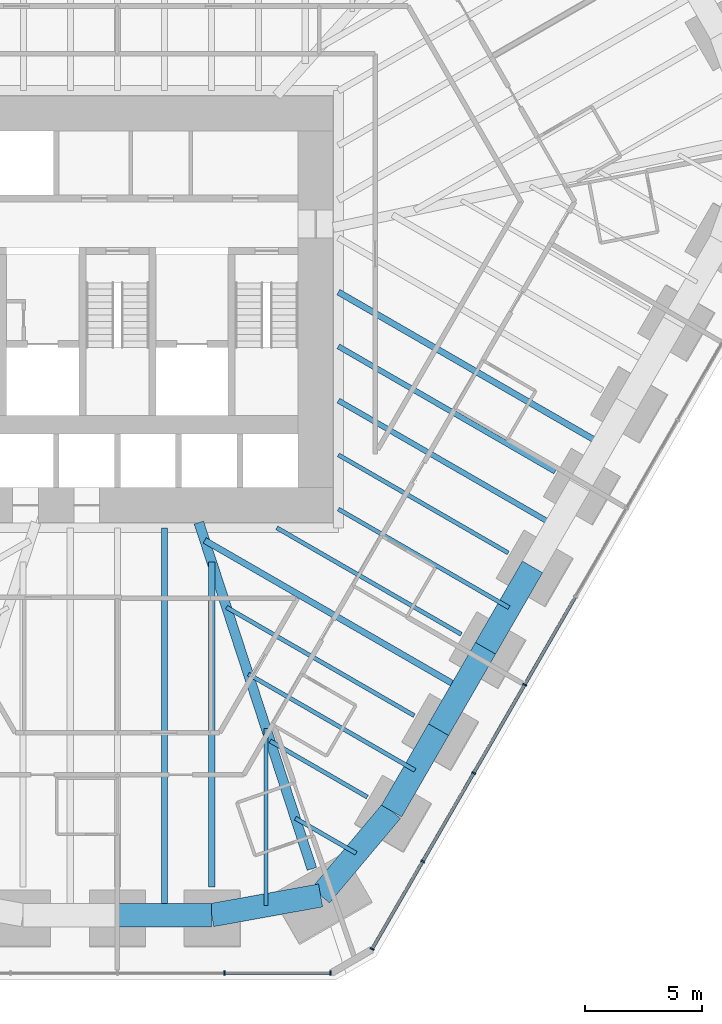
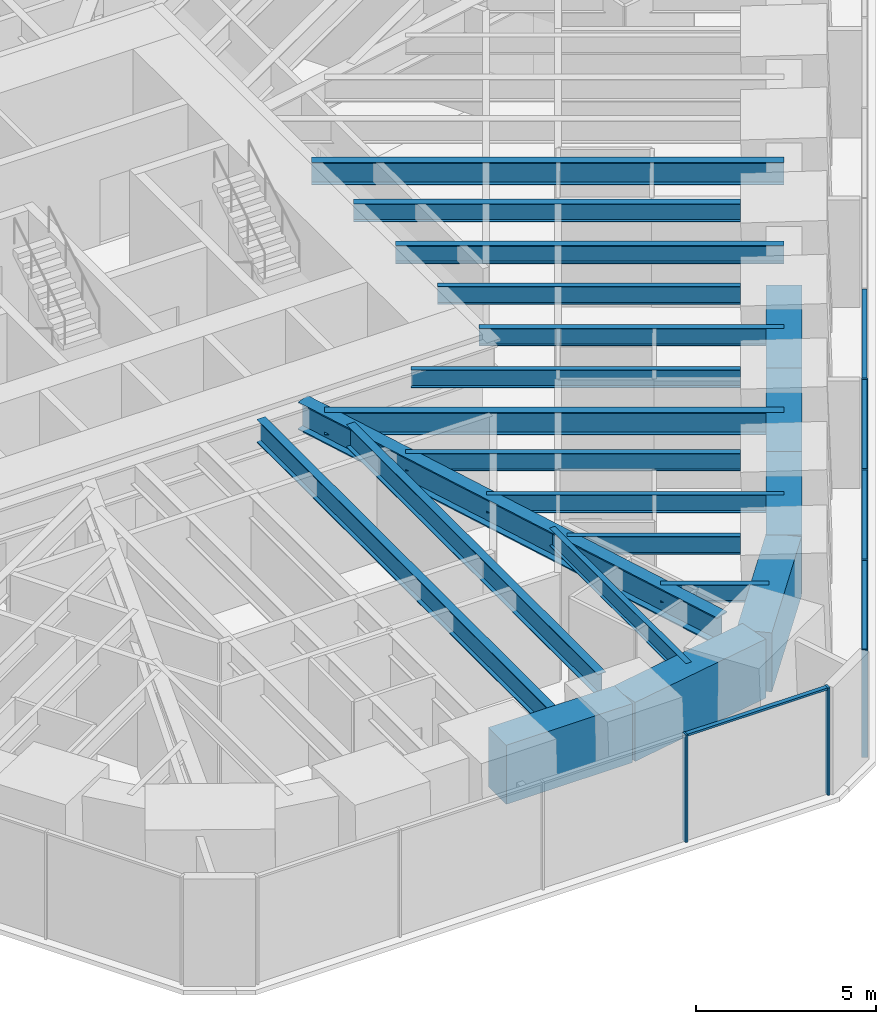
# One storey, part 5 of 17: 21 beams, 11 members, 2 elements without a shape of their own.
"""IFC4 building model written with IfcOpenShell, lengths in metres."""

from ifc_helpers import new_model, si_unit, direction, frame, origin, origin_2d, place, context, subcontext, project, spatial, rectangle, i_section, extrude, material, material_profile, profile_set, type_object, element, aggregate, save


model = new_model("IFC4")

# Units and contexts
model_context = context("Model", 3, precision=1e-05, world=origin(), true_north=direction((0.0, 1.0)))
body_context = subcontext(model_context, "Body", "Model", "MODEL_VIEW")
ifc_project = project(units=[si_unit("LENGTHUNIT", "METRE"), si_unit("AREAUNIT", "SQUARE_METRE"), si_unit("VOLUMEUNIT", "CUBIC_METRE"), si_unit("PLANEANGLEUNIT", "RADIAN"), si_unit("MASSUNIT", "GRAM", prefix="KILO")], contexts=[model_context])

# Site, building, storey
site_placement = place(None, origin())
site = spatial("IfcSite", under=ifc_project, at=site_placement, CompositionType="ELEMENT")
building_placement = place(site_placement, origin())
building = spatial("IfcBuilding", under=site, at=building_placement, Name="Sandreach Pilgrim Tower", CompositionType="ELEMENT")
storey_placement = place(building_placement, frame((0.0, 0.0, 80.0)))
storey = spatial("IfcBuildingStorey", under=building, at=storey_placement, Name="L19", CompositionType="ELEMENT", Elevation=80.0)

# Curtain wall, members
ifc_material_1 = material(Name="Aluminium framed curtain wall", Category="aluminium")
curtain_wall_type = type_object("IfcCurtainWallType", Name="Hostel tower curtain wall", PredefinedType="NOTDEFINED", material=ifc_material_1)
curtain_wall_1_placement = place(storey_placement, origin())
curtain_wall_1 = element("IfcCurtainWall", 1, at=curtain_wall_1_placement, inside=storey, type_object=curtain_wall_type, Name="CW-1 L19 SE", PredefinedType="NOTDEFINED")
ifc_material_2 = material(Name="Aluminium extrusion", Category="aluminium")
ifc_material_profile_1 = material_profile(ifc_material_2, rectangle(XDim=0.06494140625, YDim=0.179931640625, at=origin_2d()), Name="CW-1M 65X180")
ifc_profile_set_1 = profile_set([ifc_material_profile_1], Name="Aluminium extrusion")
member_type_1 = type_object("IfcMemberType", Name="CW-1 mullion", PredefinedType="MULLION", material=ifc_profile_set_1)
member_1_placement = place(storey_placement, frame((17.46142578125, -17.6533203125, 0.0), z_axis=(0.0, 0.0, 1.0), x_axis=(-0.5, -0.866025403784, 0.0)))
member_1 = element("IfcMember", 2, at=member_1_placement, type_object=member_type_1, Name="CW-1 mullion 7", PredefinedType="MULLION", context=body_context, shape_type="SweptSolid", body=[
    extrude(rectangle(XDim=0.06494140625, YDim=0.179931640625, at=origin_2d()), origin(), (0.0, 0.0, 1.0), 3.639892578125),
])
member_2_placement = place(storey_placement, frame((15.275634765625, -21.439208984375, 0.0), z_axis=(0.0, 0.0, 1.0), x_axis=(-0.5, -0.866025403784, 0.0)))
member_2 = element("IfcMember", 3, at=member_2_placement, type_object=member_type_1, Name="CW-1 mullion 8", PredefinedType="MULLION", context=body_context, shape_type="SweptSolid", body=[
    extrude(rectangle(XDim=0.06494140625, YDim=0.179931640625, at=origin_2d()), origin(), (0.0, 0.0, 1.0), 3.639892578125),
])
member_3_placement = place(storey_placement, frame((13.08984375, -25.22509765625, 0.0), z_axis=(0.0, 0.0, 1.0), x_axis=(-0.5, -0.866025403784, 0.0)))
member_3 = element("IfcMember", 4, at=member_3_placement, type_object=member_type_1, Name="CW-1 mullion 9", PredefinedType="MULLION", context=body_context, shape_type="SweptSolid", body=[
    extrude(rectangle(XDim=0.06494140625, YDim=0.179931640625, at=origin_2d()), origin(), (0.0, 0.0, 1.0), 3.639892578125),
])
member_4_placement = place(storey_placement, frame((10.92041015625, -28.982666015625, 0.0), z_axis=(0.0, 0.0, 1.0), x_axis=(-0.5, -0.866025403784, 0.0)))
member_4 = element("IfcMember", 5, at=member_4_placement, type_object=member_type_1, Name="CW-1 mullion 10", PredefinedType="MULLION", context=body_context, shape_type="SweptSolid", body=[
    extrude(rectangle(XDim=0.06494140625, YDim=0.179931640625, at=origin_2d()), origin(), (0.0, 0.0, 1.0), 3.639892578125),
])

curtain_wall_2_placement = place(storey_placement, origin())
curtain_wall_2 = element("IfcCurtainWall", 6, at=curtain_wall_2_placement, inside=storey, type_object=curtain_wall_type, Name="CW-1 L19 S", PredefinedType="NOTDEFINED")
member_5_placement = place(storey_placement, frame((9.1396484375, -30.010986328125, 0.0), z_axis=(0.0, 0.0, 1.0), x_axis=(-1.0, 0.0, 0.0)))
member_5 = element("IfcMember", 7, at=member_5_placement, type_object=member_type_1, Name="CW-1 mullion 1", PredefinedType="MULLION", context=body_context, shape_type="SweptSolid", body=[
    extrude(rectangle(XDim=0.06494140625, YDim=0.179931640625, at=origin_2d()), origin(), (0.0, 0.0, 1.0), 3.639892578125),
])
member_6_placement = place(storey_placement, frame((4.5859375, -30.010986328125, 0.0), z_axis=(0.0, 0.0, 1.0), x_axis=(-1.0, 0.0, 0.0)))
member_6 = element("IfcMember", 8, at=member_6_placement, type_object=member_type_1, Name="CW-1 mullion 2", PredefinedType="MULLION", context=body_context, shape_type="SweptSolid", body=[
    extrude(rectangle(XDim=0.06494140625, YDim=0.179931640625, at=origin_2d()), origin(), (0.0, 0.0, 1.0), 3.639892578125),
])

# Member
ifc_material_3 = material(Name="Aluminium extrusion", Category="aluminium")
ifc_material_profile_2 = material_profile(ifc_material_3, rectangle(XDim=0.139892578125, YDim=0.070068359375, at=origin_2d()), Name="CW-1T 140X70")
ifc_profile_set_2 = profile_set([ifc_material_profile_2], Name="Aluminium extrusion")
member_type_2 = type_object("IfcMemberType", Name="CW-1 transom", PredefinedType="USERDEFINED", material=ifc_profile_set_2)
member_7_placement = place(storey_placement, frame((19.631103515625, -13.8955078125, 3.60498046875), z_axis=(-0.500016891966, -0.866015650984, 0.0), x_axis=(0.866015650984, -0.500016891966, 0.0)))
member_7 = element("IfcMember", 9, at=member_7_placement, type_object=member_type_2, Name="CW-1 head transom 6", ObjectType="TRANSOM", PredefinedType="USERDEFINED", context=body_context, shape_type="SweptSolid", body=[
    extrude(rectangle(XDim=0.139892578125, YDim=0.070068359375, at=origin_2d()), origin(), (0.0, 0.0, 1.0), 4.306396484375),
])

member_8_placement = place(storey_placement, frame((17.4453125, -17.681396484375, 3.60498046875), z_axis=(-0.500016891966, -0.866015650984, 0.0), x_axis=(0.866015650984, -0.500016891966, 0.0)))
member_8 = element("IfcMember", 10, at=member_8_placement, type_object=member_type_2, Name="CW-1 head transom 7", ObjectType="TRANSOM", PredefinedType="USERDEFINED", context=body_context, shape_type="SweptSolid", body=[
    extrude(rectangle(XDim=0.139892578125, YDim=0.070068359375, at=origin_2d()), origin(), (0.0, 0.0, 1.0), 4.306396484375),
])

member_9_placement = place(storey_placement, frame((15.259521484375, -21.46728515625, 3.60498046875), z_axis=(-0.500016891966, -0.866015650984, 0.0), x_axis=(0.866015650984, -0.500016891966, 0.0)))
member_9 = element("IfcMember", 11, at=member_9_placement, type_object=member_type_2, Name="CW-1 head transom 8", ObjectType="TRANSOM", PredefinedType="USERDEFINED", context=body_context, shape_type="SweptSolid", body=[
    extrude(rectangle(XDim=0.139892578125, YDim=0.070068359375, at=origin_2d()), origin(), (0.0, 0.0, 1.0), 4.306396484375),
])

member_10_placement = place(storey_placement, frame((13.07373046875, -25.253173828125, 3.60498046875), z_axis=(-0.500033953635, -0.866005799756, 0.0), x_axis=(0.866005799756, -0.500033953635, 0.0)))
member_10 = element("IfcMember", 12, at=member_10_placement, type_object=member_type_2, Name="CW-1 head transom 9", ObjectType="TRANSOM", PredefinedType="USERDEFINED", context=body_context, shape_type="SweptSolid", body=[
    extrude(rectangle(XDim=0.139892578125, YDim=0.070068359375, at=origin_2d()), origin(), (0.0, 0.0, 1.0), 4.274169921875),
])

aggregate(curtain_wall_1, [member_1, member_2, member_3, member_4, member_7, member_8, member_9, member_10])

member_11_placement = place(storey_placement, frame((9.107177734375, -30.010986328125, 3.60498046875), z_axis=(-1.0, 0.0, 0.0), x_axis=(0.0, -1.0, 0.0)))
member_11 = element("IfcMember", 13, at=member_11_placement, type_object=member_type_2, Name="CW-1 head transom 1", ObjectType="TRANSOM", PredefinedType="USERDEFINED", context=body_context, shape_type="SweptSolid", body=[
    extrude(rectangle(XDim=0.139892578125, YDim=0.070068359375, at=origin_2d()), origin(), (0.0, 0.0, 1.0), 4.488525390625),
])

aggregate(curtain_wall_2, [member_5, member_6, member_11])

# Beams
ifc_material_4 = material(Name="Steel ASTM A992 Grade 50", Category="steel")
ifc_material_profile_3 = material_profile(ifc_material_4, i_section(OverallWidth=0.421630859375, OverallDepth=0.937255859375, WebThickness=0.0224609375, FlangeThickness=0.039794921875, at=origin_2d()), Name="W36X282")
ifc_profile_set_3 = profile_set([ifc_material_profile_3], Name="Steel ASTM A992 Grade 50")
beam_type_1 = type_object("IfcBeamType", Name="Corner girder W36X282", PredefinedType="BEAM", material=ifc_profile_set_3)
beam_1_placement = place(storey_placement, frame((8.338623046875, -25.54541015625, 3.17138671875), z_axis=(-0.310312114905, 0.950634730768, 0.0), x_axis=(-0.950634730768, -0.310312114905, 0.0)))
element("IfcBeam", 14, at=beam_1_placement, inside=storey, type_object=beam_type_1, Name="BM L19 CG22", PredefinedType="BEAM", context=body_context, shape_type="SweptSolid", body=[
    extrude(i_section(OverallWidth=0.421630859375, OverallDepth=0.937255859375, WebThickness=0.0224609375, FlangeThickness=0.039794921875, at=origin_2d()), origin(), (0.0, 0.0, 1.0), 15.616455078125),
])
ifc_material_5 = material(Name="Steel ASTM A992 Grade 50", Category="steel")
ifc_material_profile_4 = material_profile(ifc_material_5, i_section(OverallWidth=0.1787109375, OverallDepth=0.60205078125, WebThickness=0.010986328125, FlangeThickness=0.014892578125, at=origin_2d()), Name="W24X62")
ifc_profile_set_4 = profile_set([ifc_material_profile_4], Name="Steel ASTM A992 Grade 50")
beam_type_2 = type_object("IfcBeamType", Name="Floor beam W24X62", PredefinedType="BEAM", material=ifc_profile_set_4)
beam_2_placement = place(storey_placement, frame((16.75634765625, -12.000244140625, 3.339111328125), z_axis=(-0.866023174489, 0.500003861233, 0.0), x_axis=(-0.500003861233, -0.866023174489, 0.0)))
element("IfcBeam", 15, at=beam_2_placement, inside=storey, type_object=beam_type_2, Name="BM L19 F18", PredefinedType="BEAM", context=body_context, shape_type="SweptSolid", body=[
    extrude(i_section(OverallWidth=0.1787109375, OverallDepth=0.60205078125, WebThickness=0.010986328125, FlangeThickness=0.014892578125, at=origin_2d()), origin(), (0.0, 0.0, 1.0), 8.4111328125),
])
beam_3_placement = place(storey_placement, frame((14.741943359375, -15.489013671875, 3.339111328125), z_axis=(-0.866027125099, 0.499997018584, 0.0), x_axis=(-0.499997018584, -0.866027125099, 0.0)))
element("IfcBeam", 16, at=beam_3_placement, inside=storey, type_object=beam_type_2, Name="BM L19 F19", PredefinedType="BEAM", context=body_context, shape_type="SweptSolid", body=[
    extrude(i_section(OverallWidth=0.1787109375, OverallDepth=0.60205078125, WebThickness=0.010986328125, FlangeThickness=0.014892578125, at=origin_2d()), origin(), (0.0, 0.0, 1.0), 9.1337890625),
])
beam_4_placement = place(storey_placement, frame((12.727783203125, -18.977783203125, 3.339111328125), z_axis=(-0.866036440312, 0.499980883686, 0.0), x_axis=(-0.499980883686, -0.866036440312, 0.0)))
element("IfcBeam", 17, at=beam_4_placement, inside=storey, type_object=beam_type_2, Name="BM L19 F20", PredefinedType="BEAM", context=body_context, shape_type="SweptSolid", body=[
    extrude(i_section(OverallWidth=0.1787109375, OverallDepth=0.60205078125, WebThickness=0.010986328125, FlangeThickness=0.014892578125, at=origin_2d()), origin(), (0.0, 0.0, 1.0), 9.295166015625),
])
beam_5_placement = place(storey_placement, frame((10.71337890625, -22.466796875, 3.339111328125), z_axis=(-0.866013112364, 0.50002128876, 0.0), x_axis=(-0.50002128876, -0.866013112364, 0.0)))
element("IfcBeam", 18, at=beam_5_placement, inside=storey, type_object=beam_type_2, Name="BM L19 F21", PredefinedType="BEAM", context=body_context, shape_type="SweptSolid", body=[
    extrude(i_section(OverallWidth=0.1787109375, OverallDepth=0.60205078125, WebThickness=0.010986328125, FlangeThickness=0.014892578125, at=origin_2d()), origin(), (0.0, 0.0, 1.0), 4.808837890625),
])
beam_6_placement = place(storey_placement, frame((16.788330078125, -14.344482421875, 3.339111328125), z_axis=(-0.866031103996, 0.499990126814, 0.0), x_axis=(-0.499990126814, -0.866031103996, 0.0)))
element("IfcBeam", 19, at=beam_6_placement, inside=storey, type_object=beam_type_2, Name="BM L19 FM18", PredefinedType="BEAM", context=body_context, shape_type="SweptSolid", body=[
    extrude(i_section(OverallWidth=0.1787109375, OverallDepth=0.60205078125, WebThickness=0.010986328125, FlangeThickness=0.014892578125, at=origin_2d()), origin(), (0.0, 0.0, 1.0), 8.447998046875),
])
beam_7_placement = place(storey_placement, frame((12.759765625, -21.322265625, 3.339111328125), z_axis=(-0.866027928545, 0.499995626961, 0.0), x_axis=(-0.499995626961, -0.866027928545, 0.0)))
element("IfcBeam", 20, at=beam_7_placement, inside=storey, type_object=beam_type_2, Name="BM L19 FM20", PredefinedType="BEAM", context=body_context, shape_type="SweptSolid", body=[
    extrude(i_section(OverallWidth=0.1787109375, OverallDepth=0.60205078125, WebThickness=0.010986328125, FlangeThickness=0.014892578125, at=origin_2d()), origin(), (0.0, 0.0, 1.0), 8.251953125),
])
beam_8_placement = place(storey_placement, frame((10.23193359375, -24.87646484375, 3.339111328125), z_axis=(-0.866039448368, 0.499975673279, 0.0), x_axis=(-0.499975673279, -0.866039448368, 0.0)))
element("IfcBeam", 21, at=beam_8_placement, inside=storey, type_object=beam_type_2, Name="BM L19 FM21", PredefinedType="BEAM", context=body_context, shape_type="SweptSolid", body=[
    extrude(i_section(OverallWidth=0.1787109375, OverallDepth=0.60205078125, WebThickness=0.010986328125, FlangeThickness=0.014892578125, at=origin_2d()), origin(), (0.0, 0.0, 1.0), 3.004638671875),
])
beam_9_placement = place(storey_placement, frame((6.376953125, -27.107666015625, 3.339111328125), z_axis=(0.0, 1.0, 0.0), x_axis=(-1.0, 0.0, 0.0)))
element("IfcBeam", 22, at=beam_9_placement, inside=storey, type_object=beam_type_2, Name="BM L19 FM22", PredefinedType="BEAM", context=body_context, shape_type="SweptSolid", body=[
    extrude(i_section(OverallWidth=0.1787109375, OverallDepth=0.60205078125, WebThickness=0.010986328125, FlangeThickness=0.014892578125, at=origin_2d()), origin(), (0.0, 0.0, 1.0), 7.572021484375),
])
ifc_material_6 = material(Name="Steel ASTM A992 Grade 50", Category="steel")
ifc_material_profile_5 = material_profile(ifc_material_6, i_section(OverallWidth=0.23046875, OverallDepth=0.6171875, WebThickness=0.01318359375, FlangeThickness=0.022216796875, at=origin_2d()), Name="W24X94")
ifc_profile_set_5 = profile_set([ifc_material_profile_5], Name="Steel ASTM A992 Grade 50")
beam_type_3 = type_object("IfcBeamType", Name="Floor beam W24X94", PredefinedType="BEAM", material=ifc_profile_set_5)
beam_10_placement = place(storey_placement, frame((18.7705078125, -8.51123046875, 3.331298828125), z_axis=(-0.8660250331, 0.500000642043, 0.0), x_axis=(-0.500000642043, -0.8660250331, 0.0)))
element("IfcBeam", 23, at=beam_10_placement, inside=storey, type_object=beam_type_3, Name="BM L19 F17", PredefinedType="BEAM", context=body_context, shape_type="SweptSolid", body=[
    extrude(i_section(OverallWidth=0.23046875, OverallDepth=0.6171875, WebThickness=0.01318359375, FlangeThickness=0.022216796875, at=origin_2d()), origin(), (0.0, 0.0, 1.0), 10.73681640625),
])
beam_11_placement = place(storey_placement, frame((18.802734375, -10.855712890625, 3.331298828125), z_axis=(-0.866027097238, 0.499997066842, 0.0), x_axis=(-0.499997066842, -0.866027097238, 0.0)))
element("IfcBeam", 24, at=beam_11_placement, inside=storey, type_object=beam_type_3, Name="BM L19 FM17", PredefinedType="BEAM", context=body_context, shape_type="SweptSolid", body=[
    extrude(i_section(OverallWidth=0.23046875, OverallDepth=0.6171875, WebThickness=0.01318359375, FlangeThickness=0.022216796875, at=origin_2d()), origin(), (0.0, 0.0, 1.0), 10.77392578125),
])
ifc_material_7 = material(Name="Steel ASTM A992 Grade 50", Category="steel")
ifc_material_profile_6 = material_profile(ifc_material_7, i_section(OverallWidth=0.2666015625, OverallDepth=0.761962890625, WebThickness=0.014404296875, FlangeThickness=0.021484375, at=origin_2d()), Name="W30X116")
ifc_profile_set_6 = profile_set([ifc_material_profile_6], Name="Steel ASTM A992 Grade 50")
beam_type_4 = type_object("IfcBeamType", Name="Floor beam W30X116", PredefinedType="BEAM", material=ifc_profile_set_6)
beam_12_placement = place(storey_placement, frame((4.04296875, -26.329345703125, 3.259033203125), z_axis=(0.0, 1.0, 0.0), x_axis=(-1.0, 0.0, 0.0)))
element("IfcBeam", 25, at=beam_12_placement, inside=storey, type_object=beam_type_4, Name="BM L19 F23", PredefinedType="BEAM", context=body_context, shape_type="SweptSolid", body=[
    extrude(i_section(OverallWidth=0.2666015625, OverallDepth=0.761962890625, WebThickness=0.014404296875, FlangeThickness=0.021484375, at=origin_2d()), origin(), (0.0, 0.0, 1.0), 13.944091796875),
])
beam_13_placement = place(storey_placement, frame((20.81689453125, -7.366943359375, 3.259033203125), z_axis=(-0.86601985405, 0.500009612299, 0.0), x_axis=(-0.500009612299, -0.86601985405, 0.0)))
element("IfcBeam", 26, at=beam_13_placement, inside=storey, type_object=beam_type_4, Name="BM L19 FM16", PredefinedType="BEAM", context=body_context, shape_type="SweptSolid", body=[
    extrude(i_section(OverallWidth=0.2666015625, OverallDepth=0.761962890625, WebThickness=0.014404296875, FlangeThickness=0.021484375, at=origin_2d()), origin(), (0.0, 0.0, 1.0), 13.099853515625),
])
beam_14_placement = place(storey_placement, frame((14.774169921875, -17.83349609375, 3.259033203125), z_axis=(-0.866023134992, 0.500003929644, 0.0), x_axis=(-0.500003929644, -0.866023134992, 0.0)))
element("IfcBeam", 27, at=beam_14_placement, inside=storey, type_object=beam_type_4, Name="BM L19 FM19", PredefinedType="BEAM", context=body_context, shape_type="SweptSolid", body=[
    extrude(i_section(OverallWidth=0.2666015625, OverallDepth=0.761962890625, WebThickness=0.014404296875, FlangeThickness=0.021484375, at=origin_2d()), origin(), (0.0, 0.0, 1.0), 12.73876953125),
])
ifc_material_8 = material(Name="Steel ASTM A992 Grade 50", Category="steel")
ifc_material_profile_7 = material_profile(ifc_material_8, i_section(OverallWidth=0.2666015625, OverallDepth=0.77978515625, WebThickness=0.0166015625, FlangeThickness=0.030029296875, at=origin_2d()), Name="W30X148")
ifc_profile_set_7 = profile_set([ifc_material_profile_7], Name="Steel ASTM A992 Grade 50")
beam_type_5 = type_object("IfcBeamType", Name="Floor beam W30X148", PredefinedType="BEAM", material=ifc_profile_set_7)
beam_15_placement = place(storey_placement, frame((2.021484375, -27.529296875, 3.25), z_axis=(0.0, 1.0, 0.0), x_axis=(-1.0, 0.0, 0.0)))
element("IfcBeam", 28, at=beam_15_placement, inside=storey, type_object=beam_type_5, Name="BM L19 FM23", PredefinedType="BEAM", context=body_context, shape_type="SweptSolid", body=[
    extrude(i_section(OverallWidth=0.2666015625, OverallDepth=0.77978515625, WebThickness=0.0166015625, FlangeThickness=0.030029296875, at=origin_2d()), origin(), (0.0, 0.0, 1.0), 16.607177734375),
])
ifc_material_9 = material(Name="Concrete 10000 psi", Category="concrete")
ifc_material_profile_8 = material_profile(ifc_material_9, rectangle(XDim=1.0, YDim=2.0, at=origin_2d()), Name="RC1000X2000")
ifc_profile_set_8 = profile_set([ifc_material_profile_8], Name="Concrete 10000 psi")
beam_type_6 = type_object("IfcBeamType", Name="Spandrel beam RC1000X2000", PredefinedType="SPANDREL", material=ifc_profile_set_8)
beam_16_placement = place(storey_placement, frame((17.79541015625, -12.60009765625, 2.639892578125), z_axis=(-0.499984757355, -0.866034203951, 0.0), x_axis=(0.866034203951, -0.499984757355, 0.0)))
element("IfcBeam", 29, at=beam_16_placement, inside=storey, type_object=beam_type_6, Name="BM L19 SP18", PredefinedType="SPANDREL", context=body_context, shape_type="SweptSolid", body=[
    extrude(rectangle(XDim=1.0, YDim=2.0, at=origin_2d()), origin(), (0.0, 0.0, 1.0), 4.028564453125),
])
beam_17_placement = place(storey_placement, frame((15.78125, -16.0888671875, 2.639892578125), z_axis=(-0.500003967864, -0.866023112925, 0.0), x_axis=(0.866023112925, -0.500003967864, 0.0)))
element("IfcBeam", 30, at=beam_17_placement, inside=storey, type_object=beam_type_6, Name="BM L19 SP19", PredefinedType="SPANDREL", context=body_context, shape_type="SweptSolid", body=[
    extrude(rectangle(XDim=1.0, YDim=2.0, at=origin_2d()), origin(), (0.0, 0.0, 1.0), 4.02880859375),
])
beam_18_placement = place(storey_placement, frame((13.766845703125, -19.577880859375, 2.639892578125), z_axis=(-0.499984757355, -0.866034203951, 0.0), x_axis=(0.866034203951, -0.499984757355, 0.0)))
element("IfcBeam", 31, at=beam_18_placement, inside=storey, type_object=beam_type_6, Name="BM L19 SP20", PredefinedType="SPANDREL", context=body_context, shape_type="SweptSolid", body=[
    extrude(rectangle(XDim=1.0, YDim=2.0, at=origin_2d()), origin(), (0.0, 0.0, 1.0), 4.028564453125),
])
beam_19_placement = place(storey_placement, frame((11.752685546875, -23.066650390625, 2.639892578125), z_axis=(-0.643343460434, -0.765577685096, 0.0), x_axis=(0.765577685096, -0.643343460434, 0.0)))
element("IfcBeam", 32, at=beam_19_placement, inside=storey, type_object=beam_type_6, Name="BM L19 SP21", PredefinedType="SPANDREL", context=body_context, shape_type="SweptSolid", body=[
    extrude(rectangle(XDim=1.0, YDim=2.0, at=origin_2d()), origin(), (0.0, 0.0, 1.0), 4.7275390625),
])
beam_20_placement = place(storey_placement, frame((8.711181640625, -26.68603515625, 2.639892578125), z_axis=(-0.984073484435, -0.177762136668, 0.0), x_axis=(0.177762136668, -0.984073484435, 0.0)))
element("IfcBeam", 33, at=beam_20_placement, inside=storey, type_object=beam_type_6, Name="BM L19 SP22", PredefinedType="SPANDREL", context=body_context, shape_type="SweptSolid", body=[
    extrude(rectangle(XDim=1.0, YDim=2.0, at=origin_2d()), origin(), (0.0, 0.0, 1.0), 4.74365234375),
])
beam_21_placement = place(storey_placement, frame((4.04296875, -27.529296875, 2.639892578125), z_axis=(-1.0, 0.0, 0.0), x_axis=(0.0, -1.0, 0.0)))
element("IfcBeam", 34, at=beam_21_placement, inside=storey, type_object=beam_type_6, Name="BM L19 SP23", PredefinedType="SPANDREL", context=body_context, shape_type="SweptSolid", body=[
    extrude(rectangle(XDim=1.0, YDim=2.0, at=origin_2d()), origin(), (0.0, 0.0, 1.0), 4.04296875),
])

save(model, "model.ifc")
